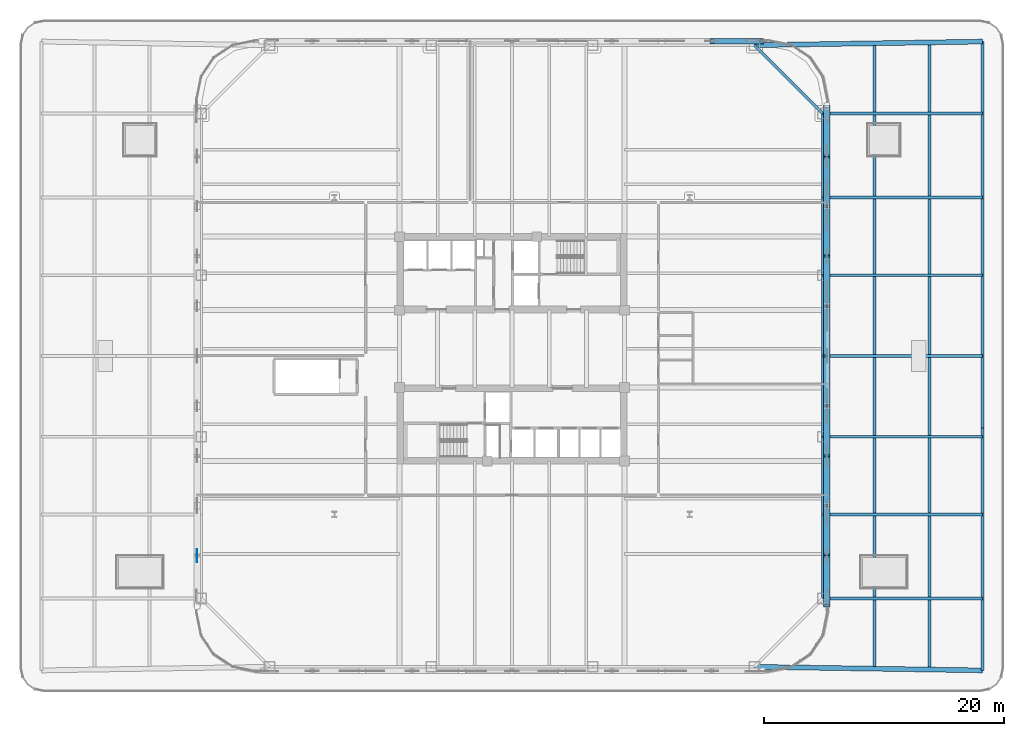
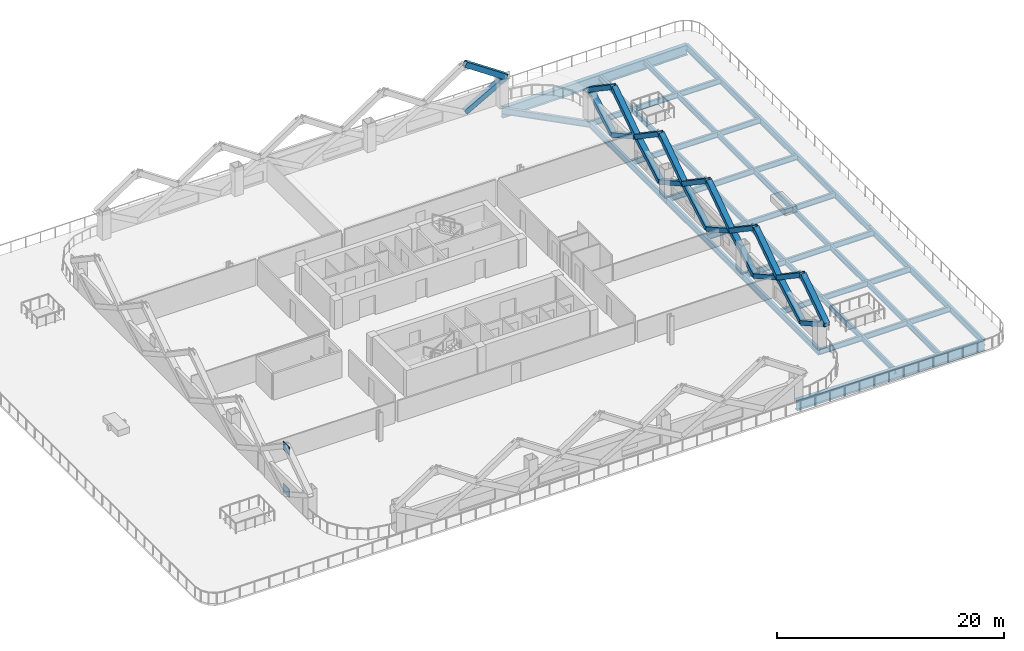
# One storey, part 3 of 17: 22 members, 17 beams, 2 plates.
"""IFC4 building model written with IfcOpenShell, lengths in metres."""

from ifc_helpers import new_model, si_unit, direction, frame, origin, origin_2d, place, context, subcontext, project, spatial, rectangle, hollow_rectangle, i_section, extrude, material, layer, layer_set, material_profile, profile_set, type_object, element, save


model = new_model("IFC4")

# Units and contexts
model_context = context("Model", 3, precision=1e-05, world=origin(), true_north=direction((0.0, 1.0)))
body_context = subcontext(model_context, "Body", "Model", "MODEL_VIEW")
ifc_project = project(units=[si_unit("LENGTHUNIT", "METRE"), si_unit("AREAUNIT", "SQUARE_METRE"), si_unit("VOLUMEUNIT", "CUBIC_METRE"), si_unit("PLANEANGLEUNIT", "RADIAN"), si_unit("MASSUNIT", "GRAM", prefix="KILO")], contexts=[model_context])

# Site, building, storey
site_placement = place(None, origin())
site = spatial("IfcSite", under=ifc_project, at=site_placement, CompositionType="ELEMENT")
building_placement = place(site_placement, origin())
building = spatial("IfcBuilding", under=site, at=building_placement, Name="Qhalaya Broadcast Tower", CompositionType="ELEMENT")
storey_placement = place(building_placement, frame((0.0, 0.0, 26.10009765625)))
storey = spatial("IfcBuildingStorey", under=building, at=storey_placement, Name="L06", CompositionType="ELEMENT", Elevation=26.10009765625)

# Beams
ifc_material_1 = material(Name="Structural Steel ASTM A992 Grade 50", Category="steel")
ifc_material_profile_1 = material_profile(ifc_material_1, i_section(OverallWidth=0.22802734375, OverallDepth=0.60693359375, WebThickness=0.01123046875, FlangeThickness=0.017333984375, at=origin_2d()), Name="W24X76")
ifc_profile_set_1 = profile_set([ifc_material_profile_1], Name="Structural Steel ASTM A992 Grade 50")
beam_type_1 = type_object("IfcBeamType", Name="Composite Floor Joist J01", PredefinedType="JOIST", material=ifc_profile_set_1)
for number, where, z_axis, x_axis, name in (
    (1, (25.89990234375, -20.199951171875, -0.523681640625), (1.0, 0.0, 0.0), (0.0, 1.0, 0.0), "L06 J01 L06-PRGE--20.2"),
    (2, (25.89990234375, -13.199951171875, -0.523681640625), (1.0, 0.0, 0.0), (0.0, 1.0, 0.0), "L06 J01 L06-PRGE--13.2"),
    (3, (25.89990234375, -6.7333984375, -0.523681640625), (1.0, 0.0, 0.0), (0.0, 1.0, 0.0), "L06 J01 L06-PRGE--6.7"),
    (4, (25.89990234375, 0.0, -0.523681640625), (1.0, 0.0, 0.0), (0.0, 1.0, 0.0), "L06 J01 L06-PRGE-+0.0"),
    (5, (25.89990234375, 6.7333984375, -0.523681640625), (1.0, 0.0, 0.0), (0.0, 1.0, 0.0), "L06 J01 L06-PRGE-+6.7"),
    (6, (25.89990234375, 13.199951171875, -0.523681640625), (1.0, 0.0, 0.0), (0.0, 1.0, 0.0), "L06 J01 L06-PRGE-+13.2"),
    (7, (25.89990234375, 20.199951171875, -0.523681640625), (1.0, 0.0, 0.0), (0.0, 1.0, 0.0), "L06 J01 L06-PRGE-+20.2"),
):
    element("IfcBeam", number, at=place(storey_placement, frame(where, z_axis=z_axis, x_axis=x_axis)), inside=storey, type_object=beam_type_1, Name=name, PredefinedType="JOIST", context=body_context, shape_type="SweptSolid", body=[
        extrude(i_section(OverallWidth=0.22802734375, OverallDepth=0.60693359375, WebThickness=0.01123046875, FlangeThickness=0.017333984375, at=origin_2d()), origin(), (0.0, 0.0, 1.0), 13.300048828125),
    ])
for number, where, z_axis, x_axis, name in (
    (8, (30.199951171875, -26.10009765625, -0.523681640625), (0.0, 1.0, 0.0), (-1.0, 0.0, 0.0), "L06 J01 L06-PRJN-+30.2"),
    (9, (34.800048828125, -26.10009765625, -0.523681640625), (0.0, 1.0, 0.0), (-1.0, 0.0, 0.0), "L06 J01 L06-PRJN-+34.8"),
):
    element("IfcBeam", number, at=place(storey_placement, frame(where, z_axis=z_axis, x_axis=x_axis)), inside=storey, type_object=beam_type_1, Name=name, PredefinedType="JOIST", context=body_context, shape_type="SweptSolid", body=[
        extrude(i_section(OverallWidth=0.22802734375, OverallDepth=0.60693359375, WebThickness=0.01123046875, FlangeThickness=0.017333984375, at=origin_2d()), origin(), (0.0, 0.0, 1.0), 52.2001953125),
    ])

# Members
ifc_material_2 = material(Name="Structural Steel ASTM A572 Grade 50", Category="steel")
ifc_material_profile_2 = material_profile(ifc_material_2, hollow_rectangle(XDim=0.449951171875, YDim=0.550048828125, WallThickness=0.031982421875, at=origin_2d()), Name="BOX 450x550x32")
ifc_profile_set_2 = profile_set([ifc_material_profile_2], Name="Structural Steel ASTM A572 Grade 50")
member_type = type_object("IfcMemberType", Name="Exoskeleton Diamond Diagonal Lower EX1", PredefinedType="BRACE", material=ifc_profile_set_2)
member_1_placement = place(storey_placement, frame((26.239990234375, -16.639892578125, 0.35986328125), z_axis=(0.0, -0.872471089532, 0.488665732306), x_axis=(0.0, 0.488665732306, 0.872471089532)))
element("IfcMember", 10, at=member_1_placement, inside=storey, type_object=member_type, Name="B1 Exoskeleton Diamond Brace E1-D1", PredefinedType="BRACE", context=body_context, shape_type="SweptSolid", body=[
    extrude(hollow_rectangle(XDim=0.449951171875, YDim=0.550048828125, WallThickness=0.031982421875, at=origin_2d()), origin(), (0.0, 0.0, 1.0), 4.768310546875),
])
member_2_placement = place(storey_placement, frame((26.239990234375, -16.639892578125, 0.35986328125), z_axis=(0.0, 0.872458862126, 0.488687562658), x_axis=(0.0, -0.488687562658, 0.872458862126)))
element("IfcMember", 11, at=member_2_placement, inside=storey, type_object=member_type, Name="B1 Exoskeleton Diamond Brace E1-D2", PredefinedType="BRACE", context=body_context, shape_type="SweptSolid", body=[
    extrude(hollow_rectangle(XDim=0.449951171875, YDim=0.550048828125, WallThickness=0.031982421875, at=origin_2d()), origin(), (0.0, 0.0, 1.0), 4.76806640625),
])
member_3_placement = place(storey_placement, frame((26.239990234375, -20.800048828125, 2.68994140625), z_axis=(0.0, 0.828668223168, 0.559740096752), x_axis=(0.0, -0.559740096752, 0.828668223168)))
element("IfcMember", 12, at=member_3_placement, inside=storey, type_object=member_type, Name="B1 Exoskeleton Diamond Brace E1-D3", PredefinedType="BRACE", context=body_context, shape_type="SweptSolid", body=[
    extrude(hollow_rectangle(XDim=0.449951171875, YDim=0.550048828125, WallThickness=0.031982421875, at=origin_2d()), origin(), (0.0, 0.0, 1.0), 5.020263671875),
])
member_4_placement = place(storey_placement, frame((26.239990234375, -12.47998046875, 2.68994140625), z_axis=(0.0, -0.828652985792, 0.559762654291), x_axis=(0.0, 0.559762654291, 0.828652985792)))
element("IfcMember", 13, at=member_4_placement, inside=storey, type_object=member_type, Name="B1 Exoskeleton Diamond Brace E1-D4", PredefinedType="BRACE", context=body_context, shape_type="SweptSolid", body=[
    extrude(hollow_rectangle(XDim=0.449951171875, YDim=0.550048828125, WallThickness=0.031982421875, at=origin_2d()), origin(), (0.0, 0.0, 1.0), 5.02001953125),
])
member_5_placement = place(storey_placement, frame((26.239990234375, -8.320068359375, 0.35986328125), z_axis=(0.0, -0.872458862126, 0.488687562658), x_axis=(0.0, 0.488687562658, 0.872458862126)))
element("IfcMember", 14, at=member_5_placement, inside=storey, type_object=member_type, Name="B1 Exoskeleton Diamond Brace E2-D1", PredefinedType="BRACE", context=body_context, shape_type="SweptSolid", body=[
    extrude(hollow_rectangle(XDim=0.449951171875, YDim=0.550048828125, WallThickness=0.031982421875, at=origin_2d()), origin(), (0.0, 0.0, 1.0), 4.76806640625),
])
member_6_placement = place(storey_placement, frame((26.239990234375, -8.320068359375, 0.35986328125), z_axis=(0.0, 0.872471089532, 0.488665732306), x_axis=(0.0, -0.488665732306, 0.872471089532)))
element("IfcMember", 15, at=member_6_placement, inside=storey, type_object=member_type, Name="B1 Exoskeleton Diamond Brace E2-D2", PredefinedType="BRACE", context=body_context, shape_type="SweptSolid", body=[
    extrude(hollow_rectangle(XDim=0.449951171875, YDim=0.550048828125, WallThickness=0.031982421875, at=origin_2d()), origin(), (0.0, 0.0, 1.0), 4.768310546875),
])
member_7_placement = place(storey_placement, frame((26.239990234375, -12.47998046875, 2.68994140625), z_axis=(0.0, 0.828652985792, 0.559762654291), x_axis=(0.0, -0.559762654291, 0.828652985792)))
element("IfcMember", 16, at=member_7_placement, inside=storey, type_object=member_type, Name="B1 Exoskeleton Diamond Brace E2-D3", PredefinedType="BRACE", context=body_context, shape_type="SweptSolid", body=[
    extrude(hollow_rectangle(XDim=0.449951171875, YDim=0.550048828125, WallThickness=0.031982421875, at=origin_2d()), origin(), (0.0, 0.0, 1.0), 5.02001953125),
])
member_8_placement = place(storey_placement, frame((26.239990234375, -4.159912109375, 2.68994140625), z_axis=(0.0, -0.828668223168, 0.559740096752), x_axis=(0.0, 0.559740096752, 0.828668223168)))
element("IfcMember", 17, at=member_8_placement, inside=storey, type_object=member_type, Name="B1 Exoskeleton Diamond Brace E2-D4", PredefinedType="BRACE", context=body_context, shape_type="SweptSolid", body=[
    extrude(hollow_rectangle(XDim=0.449951171875, YDim=0.550048828125, WallThickness=0.031982421875, at=origin_2d()), origin(), (0.0, 0.0, 1.0), 5.020263671875),
])
for number, where, z_axis, x_axis, name in (
    (18, (26.239990234375, 0.0, 0.35986328125), (0.0, -0.872458862126, 0.488687562658), (0.0, 0.488687562658, 0.872458862126), "B1 Exoskeleton Diamond Brace E3-D1"),
    (19, (26.239990234375, 0.0, 0.35986328125), (0.0, 0.872458862126, 0.488687562658), (0.0, -0.488687562658, 0.872458862126), "B1 Exoskeleton Diamond Brace E3-D2"),
):
    element("IfcMember", number, at=place(storey_placement, frame(where, z_axis=z_axis, x_axis=x_axis)), inside=storey, type_object=member_type, Name=name, PredefinedType="BRACE", context=body_context, shape_type="SweptSolid", body=[
        extrude(hollow_rectangle(XDim=0.449951171875, YDim=0.550048828125, WallThickness=0.031982421875, at=origin_2d()), origin(), (0.0, 0.0, 1.0), 4.76806640625),
    ])
for number, where, z_axis, x_axis, name in (
    (20, (26.239990234375, -4.159912109375, 2.68994140625), (0.0, 0.828652985792, 0.559762654291), (0.0, -0.559762654291, 0.828652985792), "B1 Exoskeleton Diamond Brace E3-D3"),
    (21, (26.239990234375, 4.159912109375, 2.68994140625), (0.0, -0.828652985792, 0.559762654291), (0.0, 0.559762654291, 0.828652985792), "B1 Exoskeleton Diamond Brace E3-D4"),
):
    element("IfcMember", number, at=place(storey_placement, frame(where, z_axis=z_axis, x_axis=x_axis)), inside=storey, type_object=member_type, Name=name, PredefinedType="BRACE", context=body_context, shape_type="SweptSolid", body=[
        extrude(hollow_rectangle(XDim=0.449951171875, YDim=0.550048828125, WallThickness=0.031982421875, at=origin_2d()), origin(), (0.0, 0.0, 1.0), 5.02001953125),
    ])
member_9_placement = place(storey_placement, frame((26.239990234375, 8.320068359375, 0.35986328125), z_axis=(0.0, -0.872471089532, 0.488665732306), x_axis=(0.0, 0.488665732306, 0.872471089532)))
element("IfcMember", 22, at=member_9_placement, inside=storey, type_object=member_type, Name="B1 Exoskeleton Diamond Brace E4-D1", PredefinedType="BRACE", context=body_context, shape_type="SweptSolid", body=[
    extrude(hollow_rectangle(XDim=0.449951171875, YDim=0.550048828125, WallThickness=0.031982421875, at=origin_2d()), origin(), (0.0, 0.0, 1.0), 4.768310546875),
])
member_10_placement = place(storey_placement, frame((26.239990234375, 8.320068359375, 0.35986328125), z_axis=(0.0, 0.872458862126, 0.488687562658), x_axis=(0.0, -0.488687562658, 0.872458862126)))
element("IfcMember", 23, at=member_10_placement, inside=storey, type_object=member_type, Name="B1 Exoskeleton Diamond Brace E4-D2", PredefinedType="BRACE", context=body_context, shape_type="SweptSolid", body=[
    extrude(hollow_rectangle(XDim=0.449951171875, YDim=0.550048828125, WallThickness=0.031982421875, at=origin_2d()), origin(), (0.0, 0.0, 1.0), 4.76806640625),
])
member_11_placement = place(storey_placement, frame((26.239990234375, 4.159912109375, 2.68994140625), z_axis=(0.0, 0.828668223168, 0.559740096752), x_axis=(0.0, -0.559740096752, 0.828668223168)))
element("IfcMember", 24, at=member_11_placement, inside=storey, type_object=member_type, Name="B1 Exoskeleton Diamond Brace E4-D3", PredefinedType="BRACE", context=body_context, shape_type="SweptSolid", body=[
    extrude(hollow_rectangle(XDim=0.449951171875, YDim=0.550048828125, WallThickness=0.031982421875, at=origin_2d()), origin(), (0.0, 0.0, 1.0), 5.020263671875),
])
member_12_placement = place(storey_placement, frame((26.239990234375, 12.47998046875, 2.68994140625), z_axis=(0.0, -0.828652985792, 0.559762654291), x_axis=(0.0, 0.559762654291, 0.828652985792)))
element("IfcMember", 25, at=member_12_placement, inside=storey, type_object=member_type, Name="B1 Exoskeleton Diamond Brace E4-D4", PredefinedType="BRACE", context=body_context, shape_type="SweptSolid", body=[
    extrude(hollow_rectangle(XDim=0.449951171875, YDim=0.550048828125, WallThickness=0.031982421875, at=origin_2d()), origin(), (0.0, 0.0, 1.0), 5.02001953125),
])
member_13_placement = place(storey_placement, frame((26.239990234375, 16.639892578125, 0.35986328125), z_axis=(0.0, -0.872458862126, 0.488687562658), x_axis=(0.0, 0.488687562658, 0.872458862126)))
element("IfcMember", 26, at=member_13_placement, inside=storey, type_object=member_type, Name="B1 Exoskeleton Diamond Brace E5-D1", PredefinedType="BRACE", context=body_context, shape_type="SweptSolid", body=[
    extrude(hollow_rectangle(XDim=0.449951171875, YDim=0.550048828125, WallThickness=0.031982421875, at=origin_2d()), origin(), (0.0, 0.0, 1.0), 4.76806640625),
])
member_14_placement = place(storey_placement, frame((26.239990234375, 16.639892578125, 0.35986328125), z_axis=(0.0, 0.872471089532, 0.488665732306), x_axis=(0.0, -0.488665732306, 0.872471089532)))
element("IfcMember", 27, at=member_14_placement, inside=storey, type_object=member_type, Name="B1 Exoskeleton Diamond Brace E5-D2", PredefinedType="BRACE", context=body_context, shape_type="SweptSolid", body=[
    extrude(hollow_rectangle(XDim=0.449951171875, YDim=0.550048828125, WallThickness=0.031982421875, at=origin_2d()), origin(), (0.0, 0.0, 1.0), 4.768310546875),
])
member_15_placement = place(storey_placement, frame((26.239990234375, 12.47998046875, 2.68994140625), z_axis=(0.0, 0.828652985792, 0.559762654291), x_axis=(0.0, -0.559762654291, 0.828652985792)))
element("IfcMember", 28, at=member_15_placement, inside=storey, type_object=member_type, Name="B1 Exoskeleton Diamond Brace E5-D3", PredefinedType="BRACE", context=body_context, shape_type="SweptSolid", body=[
    extrude(hollow_rectangle(XDim=0.449951171875, YDim=0.550048828125, WallThickness=0.031982421875, at=origin_2d()), origin(), (0.0, 0.0, 1.0), 5.02001953125),
])
member_16_placement = place(storey_placement, frame((26.239990234375, 20.800048828125, 2.68994140625), z_axis=(0.0, -0.828668223168, 0.559740096752), x_axis=(0.0, 0.559740096752, 0.828668223168)))
element("IfcMember", 29, at=member_16_placement, inside=storey, type_object=member_type, Name="B1 Exoskeleton Diamond Brace E5-D4", PredefinedType="BRACE", context=body_context, shape_type="SweptSolid", body=[
    extrude(hollow_rectangle(XDim=0.449951171875, YDim=0.550048828125, WallThickness=0.031982421875, at=origin_2d()), origin(), (0.0, 0.0, 1.0), 5.020263671875),
])
member_17_placement = place(storey_placement, frame((16.639892578125, 26.239990234375, 0.35986328125), z_axis=(0.872471089532, 0.0, 0.488665732306), x_axis=(0.0, 1.0, 0.0)))
element("IfcMember", 30, at=member_17_placement, inside=storey, type_object=member_type, Name="B1 Exoskeleton Diamond Brace N1-D1", PredefinedType="BRACE", context=body_context, shape_type="SweptSolid", body=[
    extrude(hollow_rectangle(XDim=0.449951171875, YDim=0.550048828125, WallThickness=0.031982421875, at=origin_2d()), origin(), (0.0, 0.0, 1.0), 4.768310546875),
])
member_18_placement = place(storey_placement, frame((20.800048828125, 26.239990234375, 2.68994140625), z_axis=(-0.828668223168, 0.0, 0.559740096752), x_axis=(0.0, -1.0, 0.0)))
element("IfcMember", 31, at=member_18_placement, inside=storey, type_object=member_type, Name="B1 Exoskeleton Diamond Brace N1-D3", PredefinedType="BRACE", context=body_context, shape_type="SweptSolid", body=[
    extrude(hollow_rectangle(XDim=0.449951171875, YDim=0.550048828125, WallThickness=0.031982421875, at=origin_2d()), origin(), (0.0, 0.0, 1.0), 5.020263671875),
])

# Beams
ifc_material_profile_3 = material_profile(ifc_material_1, i_section(OverallWidth=0.25390625, OverallDepth=0.68310546875, WebThickness=0.012451171875, FlangeThickness=0.01904296875, at=origin_2d()), Name="W27X94")
ifc_profile_set_3 = profile_set([ifc_material_profile_3], Name="Structural Steel ASTM A992 Grade 50")
beam_type_2 = type_object("IfcBeamType", Name="Perimeter Ring Spandrel Beam SP1", PredefinedType="SPANDREL", material=ifc_profile_set_3)
beam_1_placement = place(storey_placement, frame((25.89990234375, -20.199951171875, -0.5615234375), z_axis=(0.0, 1.0, 0.0), x_axis=(-1.0, 0.0, 0.0)))
element("IfcBeam", 32, at=beam_1_placement, inside=storey, type_object=beam_type_2, Name="L06 SP1 L06-SPR-05", PredefinedType="SPANDREL", context=body_context, shape_type="SweptSolid", body=[
    extrude(i_section(OverallWidth=0.25390625, OverallDepth=0.68310546875, WebThickness=0.012451171875, FlangeThickness=0.01904296875, at=origin_2d()), origin(), (0.0, 0.0, 1.0), 13.466552734375),
])
beam_2_placement = place(storey_placement, frame((25.89990234375, -6.7333984375, -0.5615234375), z_axis=(0.0, 1.0, 0.0), x_axis=(-1.0, 0.0, 0.0)))
element("IfcBeam", 33, at=beam_2_placement, inside=storey, type_object=beam_type_2, Name="L06 SP1 L06-SPR-06", PredefinedType="SPANDREL", context=body_context, shape_type="SweptSolid", body=[
    extrude(i_section(OverallWidth=0.25390625, OverallDepth=0.68310546875, WebThickness=0.012451171875, FlangeThickness=0.01904296875, at=origin_2d()), origin(), (0.0, 0.0, 1.0), 13.466796875),
])
beam_3_placement = place(storey_placement, frame((25.89990234375, 6.7333984375, -0.5615234375), z_axis=(0.0, 1.0, 0.0), x_axis=(-1.0, 0.0, 0.0)))
element("IfcBeam", 34, at=beam_3_placement, inside=storey, type_object=beam_type_2, Name="L06 SP1 L06-SPR-07", PredefinedType="SPANDREL", context=body_context, shape_type="SweptSolid", body=[
    extrude(i_section(OverallWidth=0.25390625, OverallDepth=0.68310546875, WebThickness=0.012451171875, FlangeThickness=0.01904296875, at=origin_2d()), origin(), (0.0, 0.0, 1.0), 13.466552734375),
])
beam_4_placement = place(storey_placement, frame((25.89990234375, 20.199951171875, -0.5615234375), z_axis=(-0.707106781187, 0.707106781187, 0.0), x_axis=(-0.707106781187, -0.707106781187, 0.0)))
element("IfcBeam", 35, at=beam_4_placement, inside=storey, type_object=beam_type_2, Name="L06 SP1 L06-SPR-08", PredefinedType="SPANDREL", context=body_context, shape_type="SweptSolid", body=[
    extrude(i_section(OverallWidth=0.25390625, OverallDepth=0.68310546875, WebThickness=0.012451171875, FlangeThickness=0.01904296875, at=origin_2d()), origin(), (0.0, 0.0, 1.0), 8.06103515625),
])
beam_5_placement = place(storey_placement, frame((39.199951171875, -26.199951171875, -0.5615234375), z_axis=(0.0, 1.0, 0.0), x_axis=(-1.0, 0.0, 0.0)))
element("IfcBeam", 36, at=beam_5_placement, inside=storey, type_object=beam_type_2, Name="L06 SP1 L06-PRG-EE1", PredefinedType="SPANDREL", context=body_context, shape_type="SweptSolid", body=[
    extrude(i_section(OverallWidth=0.25390625, OverallDepth=0.68310546875, WebThickness=0.012451171875, FlangeThickness=0.01904296875, at=origin_2d()), origin(), (0.0, 0.0, 1.0), 20.199951171875),
])
beam_6_placement = place(storey_placement, frame((39.199951171875, -6.0, -0.5615234375), z_axis=(0.0, 1.0, 0.0), x_axis=(-1.0, 0.0, 0.0)))
element("IfcBeam", 37, at=beam_6_placement, inside=storey, type_object=beam_type_2, Name="L06 SP1 L06-PRG-EE2", PredefinedType="SPANDREL", context=body_context, shape_type="SweptSolid", body=[
    extrude(i_section(OverallWidth=0.25390625, OverallDepth=0.68310546875, WebThickness=0.012451171875, FlangeThickness=0.01904296875, at=origin_2d()), origin(), (0.0, 0.0, 1.0), 32.199951171875),
])
ifc_material_profile_4 = material_profile(ifc_material_1, i_section(OverallWidth=0.404052734375, OverallDepth=1.117919921875, WebThickness=0.026123046875, FlangeThickness=0.044921875, at=origin_2d()), Name="W44X335")
ifc_profile_set_4 = profile_set([ifc_material_profile_4], Name="Structural Steel ASTM A992 Grade 50")
beam_type_3 = type_object("IfcBeamType", Name="Podium Long-Span Primary Girder PG1", PredefinedType="USERDEFINED", material=ifc_profile_set_4)
for number, where, z_axis, x_axis, name in (
    (38, (20.199951171875, -25.89990234375, -0.779052734375), (0.999875328998, -0.015790074776, 0.0), (0.015790074776, 0.999875328998, 0.0), "L06 PG1 L06-PRG-ES"),
    (39, (20.199951171875, 25.89990234375, -0.779052734375), (0.999875328998, 0.015790074776, 0.0), (-0.015790074776, 0.999875328998, 0.0), "L06 PG1 L06-PRG-EN"),
):
    element("IfcBeam", number, at=place(storey_placement, frame(where, z_axis=z_axis, x_axis=x_axis)), inside=storey, type_object=beam_type_3, Name=name, ObjectType="GIRDER", PredefinedType="USERDEFINED", context=body_context, shape_type="SweptSolid", body=[
        extrude(i_section(OverallWidth=0.404052734375, OverallDepth=1.117919921875, WebThickness=0.026123046875, FlangeThickness=0.044921875, at=origin_2d()), origin(), (0.0, 0.0, 1.0), 19.00244140625),
    ])

# Plates
ifc_layer = layer(ifc_material_2, 0.054931640625, Name="Structural Steel ASTM A572 Grade 50")
ifc_layer_set = layer_set([ifc_layer], Name="Structural Steel ASTM A572 Grade 50")
plate_type = type_object("IfcPlateType", Name="Exoskeleton Diamond Node Gusset Plate NP-01", PredefinedType="USERDEFINED", material=ifc_layer_set)
for number, where, z_axis, x_axis, name in (
    (40, (-26.239990234375, -16.639892578125, 0.2099609375), (0.0, 0.0, 1.0), (0.0, 1.0, 0.0), "Exoskeleton Diamond Node B1-W5-BOT"),
    (41, (-26.239990234375, -16.639892578125, 4.75), (0.0, 0.0, 1.0), (0.0, 1.0, 0.0), "Exoskeleton Diamond Node B1-W5-TOP"),
):
    element("IfcPlate", number, at=place(storey_placement, frame(where, z_axis=z_axis, x_axis=x_axis)), inside=storey, type_object=plate_type, Name=name, ObjectType="GUSSET_PLATE", PredefinedType="USERDEFINED", context=body_context, shape_type="SweptSolid", body=[
        extrude(rectangle(XDim=1.10009765625, YDim=0.054931640625, at=origin_2d()), origin(), (0.0, 0.0, 1.0), 0.89990234375),
    ])

save(model, "model.ifc")
